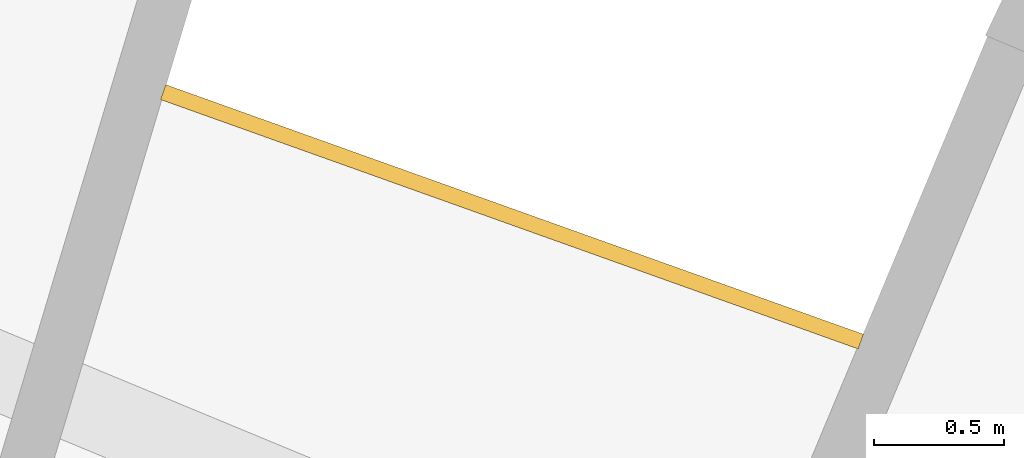
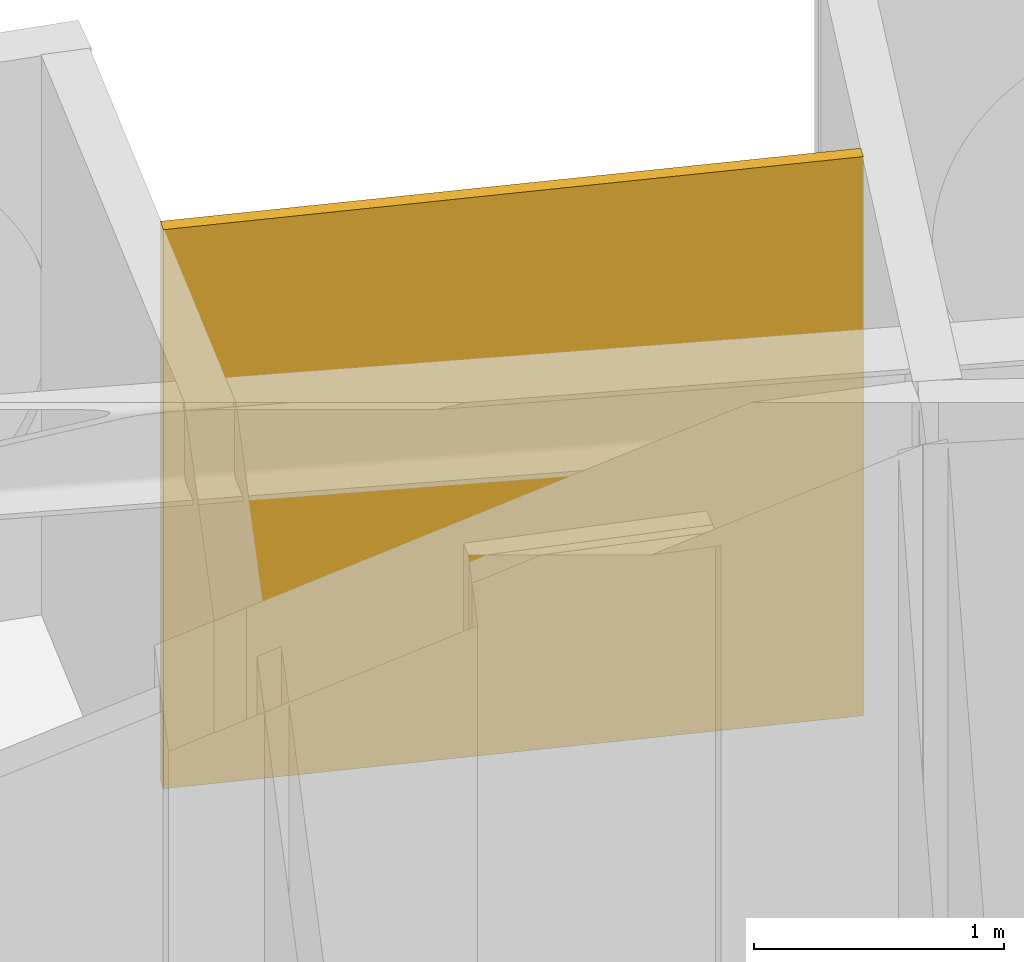
# One storey, part 27 of 27: 1 railing.
"""IFC4 building model written with IfcOpenShell, lengths in metres."""

import ifcopenshell
import ifcopenshell.guid

model = None  # the IFC model being written
_history = None  # IfcOwnerHistory: only IFC2X3 demands one
_inside = {}  # id of a spatial element -> (the spatial element, [elements in it])
_under = {}  # id of a project, library or spatial element -> (it, [spatial elements below it])
_declared = {}  # id of a project -> (the project, [libraries it declares])
_typed = {}  # id of a type object -> (the type object, [elements of that type])
_made_of = {}  # id of a material, layer set ... -> (it, [elements and type objects made of it])


def new_model(schema):
    """Start an empty IFC model of exactly this schema.

    Asked for "IFC4X3", IfcOpenShell would pick the latest addendum, in which some entities
    have other attributes; the version numbers below select the first issue.
    IFC2X3 requires an IfcOwnerHistory on every rooted entity: one is made here for all.
    """
    global model, _history
    if schema == "IFC4X3":
        model = ifcopenshell.file(schema_version=(4, 3, 0, 0))
    else:
        model = ifcopenshell.file(schema=schema)
    _inside.clear()
    _under.clear()
    _declared.clear()
    _typed.clear()
    _made_of.clear()
    _history = None
    if model.schema == "IFC2X3":
        org = make("IfcOrganization", Name="unknown")
        user = make(
            "IfcPersonAndOrganization",
            ThePerson=make("IfcPerson", FamilyName="unknown"),
            TheOrganization=org,
        )
        app = make(
            "IfcApplication",
            ApplicationDeveloper=org,
            Version="unknown",
            ApplicationFullName="unknown",
            ApplicationIdentifier="unknown",
        )
        _history = make(
            "IfcOwnerHistory",
            OwningUser=user,
            OwningApplication=app,
            ChangeAction="ADDED",
            CreationDate=0,
        )
    return model


def make(cls, **values):
    """One entity of the class cls with the attributes given. An attribute that is None is left unset."""
    return model.create_entity(
        cls, **{name: value for name, value in values.items() if value is not None}
    )


def rooted(cls, **values):
    """An entity with a GlobalId (a new one), such as an element, a storey or a relation."""
    return make(cls, GlobalId=ifcopenshell.guid.new(), OwnerHistory=_history, **values)


def si_unit(unit_type, name, prefix=None):
    """IfcSIUnit, for example si_unit("LENGTHUNIT", "METRE", prefix="MILLI")."""
    return make("IfcSIUnit", UnitType=unit_type, Prefix=prefix, Name=name)


def assignment(units):
    """IfcUnitAssignment: the units of a project."""
    return None if units is None else make("IfcUnitAssignment", Units=units)


def point(xyz):
    """IfcCartesianPoint."""
    return None if xyz is None else make("IfcCartesianPoint", Coordinates=xyz)


def direction(xyz):
    """IfcDirection."""
    return None if xyz is None else make("IfcDirection", DirectionRatios=xyz)


def frame(location, z_axis=None, x_axis=None):
    """IfcAxis2Placement3D, a coordinate frame: its origin and axes. An axis left out is left unset."""
    return make(
        "IfcAxis2Placement3D",
        Location=point(location),
        Axis=direction(z_axis),
        RefDirection=direction(x_axis),
    )


def origin():
    """The frame at (0, 0, 0) with its axes left unset."""
    return frame((0.0, 0.0, 0.0))


def place(relative_to, where):
    """IfcLocalPlacement: puts the frame where relative to a parent placement (None: the world)."""
    return make(
        "IfcLocalPlacement", PlacementRelTo=relative_to, RelativePlacement=where
    )


def context(
    kind, dimensions, precision=None, world=None, true_north=None, identifier=None
):
    """IfcGeometricRepresentationContext, for example the 3D "Model" context."""
    return make(
        "IfcGeometricRepresentationContext",
        ContextIdentifier=identifier,
        ContextType=kind,
        CoordinateSpaceDimension=dimensions,
        Precision=precision,
        WorldCoordinateSystem=world,
        TrueNorth=true_north,
    )


def subcontext(parent, identifier, kind, view, scale=None):
    """IfcGeometricRepresentationSubContext, for example "Body" below "Model"."""
    return make(
        "IfcGeometricRepresentationSubContext",
        ContextIdentifier=identifier,
        ContextType=kind,
        ParentContext=parent,
        TargetScale=scale,
        TargetView=view,
    )


def project(units=None, contexts=None):
    """IfcProject with its units and contexts."""
    return rooted(
        "IfcProject",
        Name="project",
        RepresentationContexts=contexts,
        UnitsInContext=assignment(units),
    )


def spatial(cls, under=None, at=None, **own):
    """A site, building, storey or space (cls), placed at a placement, below another one or the project."""
    s = rooted(cls, ObjectPlacement=at, **own)
    if under is not None:
        _under.setdefault(under.id(), (under, []))[1].append(s)
    return s


def polyline(points):
    """IfcPolyline through the points."""
    return make("IfcPolyline", Points=[point(p) for p in points])


def outline(outer, holes=None, kind="AREA"):
    """IfcArbitraryClosedProfileDef: a profile drawn as a closed curve; with holes, ...WithVoids."""
    if holes is None:
        return make("IfcArbitraryClosedProfileDef", ProfileType=kind, OuterCurve=outer)
    return make(
        "IfcArbitraryProfileDefWithVoids",
        ProfileType=kind,
        OuterCurve=outer,
        InnerCurves=holes,
    )


def extrude(swept, where, along, depth):
    """IfcExtrudedAreaSolid: the profile swept, set in the frame where, extruded along a direction by depth."""
    return make(
        "IfcExtrudedAreaSolid",
        SweptArea=swept,
        Position=where,
        ExtrudedDirection=direction(along),
        Depth=depth,
    )


def shape(context_of_items, identifier, shape_type, items):
    """IfcShapeRepresentation: the items that make up one representation, for example the "Body"."""
    return make(
        "IfcShapeRepresentation",
        ContextOfItems=context_of_items,
        RepresentationIdentifier=identifier,
        RepresentationType=shape_type,
        Items=items,
    )


def material(Name=None, Category=None):
    """IfcMaterial."""
    return make("IfcMaterial", Name=Name, Category=Category)


def layer(
    of_material, thickness, ventilated=None, Name=None, Category=None, Priority=None
):
    """IfcMaterialLayer: one layer of a wall or slab, of a material (None: an air gap)."""
    return make(
        "IfcMaterialLayer",
        Material=of_material,
        LayerThickness=thickness,
        IsVentilated=ventilated,
        Name=Name,
        Category=Category,
        Priority=Priority,
    )


def layer_set(layers, Name=None):
    """IfcMaterialLayerSet."""
    return make("IfcMaterialLayerSet", MaterialLayers=layers, LayerSetName=Name)


def made_of(thing, what):
    """Note that an element or type object is made of a material, layer set ...; save() writes the relation."""
    if what is not None:
        _made_of.setdefault(what.id(), (what, []))[1].append(thing)
    return thing


def type_object(cls, material=None, **own):
    """A type object (cls), such as IfcWallType, which elements share."""
    return made_of(rooted(cls, **own), material)


def element(
    cls,
    number,
    at=None,
    inside=None,
    cuts=None,
    type_object=None,
    material=None,
    context=None,
    identifier="Body",
    shape_type=None,
    held_by="IfcProductDefinitionShape",
    body=None,
    shapes=None,
    **own,
):
    """One element of the class cls, such as IfcWall. Its Tag is "e" and its number.

    at: its placement. inside: the storey or other place that contains it. cuts: it is an
    opening in that element (IfcRelVoidsElement). A single representation is given by context,
    identifier, shape_type and body (its items); several are given by shapes. held_by: the class
    of the entity that holds the representations. save() writes the other relations.
    """
    e = rooted(cls, Tag="e%d" % number, ObjectPlacement=at, **own)
    if body is not None:
        shapes = [shape(context, identifier, shape_type, body)]
    if shapes is not None:
        e.Representation = make(held_by, Representations=shapes)
    if inside is not None:
        _inside.setdefault(inside.id(), (inside, []))[1].append(e)
    if cuts is not None:
        rooted(
            "IfcRelVoidsElement", RelatingBuildingElement=cuts, RelatedOpeningElement=e
        )
    if type_object is not None:
        _typed.setdefault(type_object.id(), (type_object, []))[1].append(e)
    return made_of(e, material)


def aggregate(whole, parts):
    """IfcRelAggregates: a whole, such as a stair, and the parts it consists of."""
    return rooted("IfcRelAggregates", RelatingObject=whole, RelatedObjects=parts)


def save(model, path):
    """Write the relations noted so far, then the file.

    IfcRelAggregates (storeys below a building ...), IfcRelContainedInSpatialStructure (elements
    in a storey), IfcRelDefinesByType, IfcRelAssociatesMaterial and IfcRelDeclares: one each for
    every whole, place, type object, material and project.
    """
    for whole, parts in _under.values():
        aggregate(whole, parts)
    for where, things in _inside.values():
        rooted(
            "IfcRelContainedInSpatialStructure",
            RelatedElements=things,
            RelatingStructure=where,
        )
    for kind, things in _typed.values():
        rooted("IfcRelDefinesByType", RelatedObjects=things, RelatingType=kind)
    for what, things in _made_of.values():
        rooted("IfcRelAssociatesMaterial", RelatedObjects=things, RelatingMaterial=what)
    for by, libraries in _declared.values():
        rooted("IfcRelDeclares", RelatingContext=by, RelatedDefinitions=libraries)
    model.write(path)


model = new_model("IFC4")

# Units and contexts
model_context = context("Model", 3, precision=1e-05, world=origin(), true_north=direction((0.0, 1.0)))
body_context = subcontext(model_context, "Body", "Model", "MODEL_VIEW")
ifc_project = project(units=[si_unit("LENGTHUNIT", "METRE"), si_unit("AREAUNIT", "SQUARE_METRE"), si_unit("VOLUMEUNIT", "CUBIC_METRE"), si_unit("PLANEANGLEUNIT", "RADIAN"), si_unit("MASSUNIT", "GRAM", prefix="KILO")], contexts=[model_context])

# Site, building, storey
site_placement = place(None, origin())
site = spatial("IfcSite", under=ifc_project, at=site_placement, CompositionType="ELEMENT")
building_placement = place(site_placement, origin())
building = spatial("IfcBuilding", under=site, at=building_placement, Name="Maasbend Ring Residences", CompositionType="ELEMENT")
storey_placement = place(building_placement, frame((0.0, 0.0, 126.89990234375)))
storey = spatial("IfcBuildingStorey", under=building, at=storey_placement, Name="L36", CompositionType="ELEMENT", Elevation=126.89990234375)

# Railing
ifc_material = material(Name="Pale anodised perforated aluminium", Category="aluminium")
ifc_layer = layer(ifc_material, 0.06005859375)
ifc_layer_set = layer_set([ifc_layer], Name="SCREEN-P")
railing_type = type_object("IfcRailingType", Name="SCREEN-P", PredefinedType="GUARDRAIL", material=ifc_layer_set)
railing_placement = place(storey_placement, frame((0.0, 0.0, -0.02978515625)))
element("IfcRailing", 1, at=railing_placement, inside=storey, type_object=railing_type, Name="Perforated screen guard 4", PredefinedType="GUARDRAIL", context=body_context, shape_type="SweptSolid", body=[
    extrude(outline(polyline([(11.097900390625, 26.79296875), (8.41796875, 27.7509765625), (8.43798828125, 27.80810546875), (11.117919921875, 26.84912109375), (11.097900390625, 26.79296875)])), origin(), (0.0, 0.0, 1.0), 2.72998046875),
])

save(model, "model.ifc")
